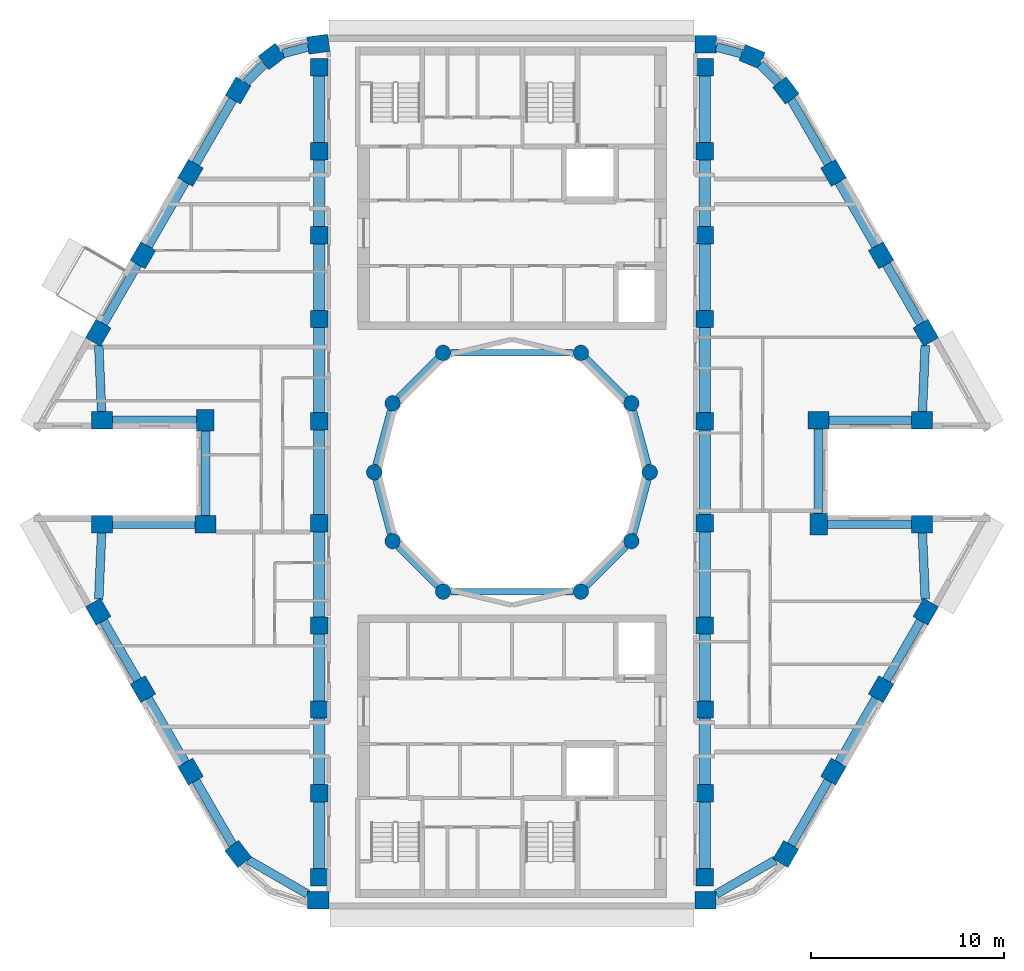
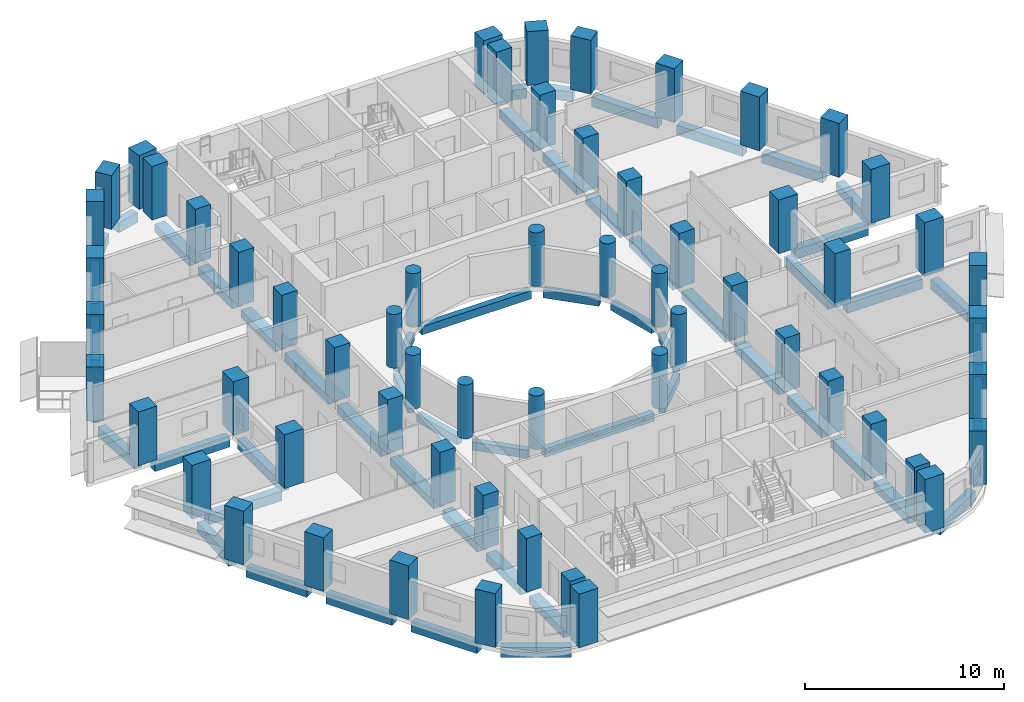
# One storey, part 1 of 13: 60 columns, 56 beams.
"""IFC4 building model written with IfcOpenShell, lengths in metres."""

import ifcopenshell
import ifcopenshell.guid

model = None  # the IFC model being written
_history = None  # IfcOwnerHistory: only IFC2X3 demands one
_inside = {}  # id of a spatial element -> (the spatial element, [elements in it])
_under = {}  # id of a project, library or spatial element -> (it, [spatial elements below it])
_declared = {}  # id of a project -> (the project, [libraries it declares])
_typed = {}  # id of a type object -> (the type object, [elements of that type])
_made_of = {}  # id of a material, layer set ... -> (it, [elements and type objects made of it])


def new_model(schema):
    """Start an empty IFC model of exactly this schema.

    Asked for "IFC4X3", IfcOpenShell would pick the latest addendum, in which some entities
    have other attributes; the version numbers below select the first issue.
    IFC2X3 requires an IfcOwnerHistory on every rooted entity: one is made here for all.
    """
    global model, _history
    if schema == "IFC4X3":
        model = ifcopenshell.file(schema_version=(4, 3, 0, 0))
    else:
        model = ifcopenshell.file(schema=schema)
    _inside.clear()
    _under.clear()
    _declared.clear()
    _typed.clear()
    _made_of.clear()
    _history = None
    if model.schema == "IFC2X3":
        org = make("IfcOrganization", Name="unknown")
        user = make(
            "IfcPersonAndOrganization",
            ThePerson=make("IfcPerson", FamilyName="unknown"),
            TheOrganization=org,
        )
        app = make(
            "IfcApplication",
            ApplicationDeveloper=org,
            Version="unknown",
            ApplicationFullName="unknown",
            ApplicationIdentifier="unknown",
        )
        _history = make(
            "IfcOwnerHistory",
            OwningUser=user,
            OwningApplication=app,
            ChangeAction="ADDED",
            CreationDate=0,
        )
    return model


def make(cls, **values):
    """One entity of the class cls with the attributes given. An attribute that is None is left unset."""
    return model.create_entity(
        cls, **{name: value for name, value in values.items() if value is not None}
    )


def rooted(cls, **values):
    """An entity with a GlobalId (a new one), such as an element, a storey or a relation."""
    return make(cls, GlobalId=ifcopenshell.guid.new(), OwnerHistory=_history, **values)


def si_unit(unit_type, name, prefix=None):
    """IfcSIUnit, for example si_unit("LENGTHUNIT", "METRE", prefix="MILLI")."""
    return make("IfcSIUnit", UnitType=unit_type, Prefix=prefix, Name=name)


def assignment(units):
    """IfcUnitAssignment: the units of a project."""
    return None if units is None else make("IfcUnitAssignment", Units=units)


def point(xyz):
    """IfcCartesianPoint."""
    return None if xyz is None else make("IfcCartesianPoint", Coordinates=xyz)


def direction(xyz):
    """IfcDirection."""
    return None if xyz is None else make("IfcDirection", DirectionRatios=xyz)


def frame(location, z_axis=None, x_axis=None):
    """IfcAxis2Placement3D, a coordinate frame: its origin and axes. An axis left out is left unset."""
    return make(
        "IfcAxis2Placement3D",
        Location=point(location),
        Axis=direction(z_axis),
        RefDirection=direction(x_axis),
    )


def frame_2d(location, x_axis=None):
    """IfcAxis2Placement2D, a coordinate frame in the plane: its origin and x axis."""
    return make(
        "IfcAxis2Placement2D", Location=point(location), RefDirection=direction(x_axis)
    )


def origin():
    """The frame at (0, 0, 0) with its axes left unset."""
    return frame((0.0, 0.0, 0.0))


def origin_2d():
    """The frame at (0, 0) in the plane with its x axis left unset."""
    return frame_2d((0.0, 0.0))


def place(relative_to, where):
    """IfcLocalPlacement: puts the frame where relative to a parent placement (None: the world)."""
    return make(
        "IfcLocalPlacement", PlacementRelTo=relative_to, RelativePlacement=where
    )


def context(
    kind, dimensions, precision=None, world=None, true_north=None, identifier=None
):
    """IfcGeometricRepresentationContext, for example the 3D "Model" context."""
    return make(
        "IfcGeometricRepresentationContext",
        ContextIdentifier=identifier,
        ContextType=kind,
        CoordinateSpaceDimension=dimensions,
        Precision=precision,
        WorldCoordinateSystem=world,
        TrueNorth=true_north,
    )


def subcontext(parent, identifier, kind, view, scale=None):
    """IfcGeometricRepresentationSubContext, for example "Body" below "Model"."""
    return make(
        "IfcGeometricRepresentationSubContext",
        ContextIdentifier=identifier,
        ContextType=kind,
        ParentContext=parent,
        TargetScale=scale,
        TargetView=view,
    )


def project(units=None, contexts=None):
    """IfcProject with its units and contexts."""
    return rooted(
        "IfcProject",
        Name="project",
        RepresentationContexts=contexts,
        UnitsInContext=assignment(units),
    )


def spatial(cls, under=None, at=None, **own):
    """A site, building, storey or space (cls), placed at a placement, below another one or the project."""
    s = rooted(cls, ObjectPlacement=at, **own)
    if under is not None:
        _under.setdefault(under.id(), (under, []))[1].append(s)
    return s


def profile(cls, at=None, kind="AREA", **sizes):
    """A parametric profile (cls). Its sizes go by their IFC names, for example OverallWidth=200.0."""
    return make(cls, ProfileType=kind, Position=at, **sizes)


def rectangle(**sizes):
    """IfcRectangleProfileDef."""
    return profile("IfcRectangleProfileDef", **sizes)


def circle(**sizes):
    """IfcCircleProfileDef."""
    return profile("IfcCircleProfileDef", **sizes)


def extrude(swept, where, along, depth):
    """IfcExtrudedAreaSolid: the profile swept, set in the frame where, extruded along a direction by depth."""
    return make(
        "IfcExtrudedAreaSolid",
        SweptArea=swept,
        Position=where,
        ExtrudedDirection=direction(along),
        Depth=depth,
    )


def shape(context_of_items, identifier, shape_type, items):
    """IfcShapeRepresentation: the items that make up one representation, for example the "Body"."""
    return make(
        "IfcShapeRepresentation",
        ContextOfItems=context_of_items,
        RepresentationIdentifier=identifier,
        RepresentationType=shape_type,
        Items=items,
    )


def material(Name=None, Category=None):
    """IfcMaterial."""
    return make("IfcMaterial", Name=Name, Category=Category)


def material_profile(
    of_material, cross_section, Name=None, Category=None, Priority=None
):
    """IfcMaterialProfile: a cross section and its material."""
    return make(
        "IfcMaterialProfile",
        Name=Name,
        Material=of_material,
        Profile=cross_section,
        Priority=Priority,
        Category=Category,
    )


def profile_set(profiles, Name=None, composite=None):
    """IfcMaterialProfileSet."""
    return make(
        "IfcMaterialProfileSet",
        Name=Name,
        MaterialProfiles=profiles,
        CompositeProfile=composite,
    )


def made_of(thing, what):
    """Note that an element or type object is made of a material, layer set ...; save() writes the relation."""
    if what is not None:
        _made_of.setdefault(what.id(), (what, []))[1].append(thing)
    return thing


def type_object(cls, material=None, **own):
    """A type object (cls), such as IfcWallType, which elements share."""
    return made_of(rooted(cls, **own), material)


def element(
    cls,
    number,
    at=None,
    inside=None,
    cuts=None,
    type_object=None,
    material=None,
    context=None,
    identifier="Body",
    shape_type=None,
    held_by="IfcProductDefinitionShape",
    body=None,
    shapes=None,
    **own,
):
    """One element of the class cls, such as IfcWall. Its Tag is "e" and its number.

    at: its placement. inside: the storey or other place that contains it. cuts: it is an
    opening in that element (IfcRelVoidsElement). A single representation is given by context,
    identifier, shape_type and body (its items); several are given by shapes. held_by: the class
    of the entity that holds the representations. save() writes the other relations.
    """
    e = rooted(cls, Tag="e%d" % number, ObjectPlacement=at, **own)
    if body is not None:
        shapes = [shape(context, identifier, shape_type, body)]
    if shapes is not None:
        e.Representation = make(held_by, Representations=shapes)
    if inside is not None:
        _inside.setdefault(inside.id(), (inside, []))[1].append(e)
    if cuts is not None:
        rooted(
            "IfcRelVoidsElement", RelatingBuildingElement=cuts, RelatedOpeningElement=e
        )
    if type_object is not None:
        _typed.setdefault(type_object.id(), (type_object, []))[1].append(e)
    return made_of(e, material)


def aggregate(whole, parts):
    """IfcRelAggregates: a whole, such as a stair, and the parts it consists of."""
    return rooted("IfcRelAggregates", RelatingObject=whole, RelatedObjects=parts)


def save(model, path):
    """Write the relations noted so far, then the file.

    IfcRelAggregates (storeys below a building ...), IfcRelContainedInSpatialStructure (elements
    in a storey), IfcRelDefinesByType, IfcRelAssociatesMaterial and IfcRelDeclares: one each for
    every whole, place, type object, material and project.
    """
    for whole, parts in _under.values():
        aggregate(whole, parts)
    for where, things in _inside.values():
        rooted(
            "IfcRelContainedInSpatialStructure",
            RelatedElements=things,
            RelatingStructure=where,
        )
    for kind, things in _typed.values():
        rooted("IfcRelDefinesByType", RelatedObjects=things, RelatingType=kind)
    for what, things in _made_of.values():
        rooted("IfcRelAssociatesMaterial", RelatedObjects=things, RelatingMaterial=what)
    for by, libraries in _declared.values():
        rooted("IfcRelDeclares", RelatingContext=by, RelatedDefinitions=libraries)
    model.write(path)


model = new_model("IFC4")

# Units and contexts
model_context = context("Model", 3, precision=1e-05, world=origin(), true_north=direction((0.0, 1.0)))
body_context = subcontext(model_context, "Body", "Model", "MODEL_VIEW")
ifc_project = project(units=[si_unit("LENGTHUNIT", "METRE"), si_unit("AREAUNIT", "SQUARE_METRE"), si_unit("VOLUMEUNIT", "CUBIC_METRE"), si_unit("PLANEANGLEUNIT", "RADIAN"), si_unit("MASSUNIT", "GRAM", prefix="KILO")], contexts=[model_context])

# Site, building, storey
site_placement = place(None, origin())
site = spatial("IfcSite", under=ifc_project, at=site_placement, CompositionType="ELEMENT")
building_placement = place(site_placement, origin())
building = spatial("IfcBuilding", under=site, at=building_placement, Name="Nakaniwa Court", CompositionType="ELEMENT")
storey_placement = place(building_placement, frame((0.0, 0.0, 242.699951171875)))
storey = spatial("IfcBuildingStorey", under=building, at=storey_placement, Name="L63", CompositionType="ELEMENT", Elevation=242.699951171875)

# Columns
ifc_material = material(Name="Concrete C80/100", Category="concrete")
ifc_material_profile_1 = material_profile(ifc_material, rectangle(XDim=1.10009765625, YDim=0.89990234375, at=origin_2d()), Name="Concrete C80/100 RC 1100x900 perimeter column")
ifc_profile_set_1 = profile_set([ifc_material_profile_1], Name="Concrete C80/100")
column_type_1 = type_object("IfcColumnType", Name="Concrete C80/100 RC 1100x900 perimeter column", PredefinedType="COLUMN", material=ifc_profile_set_1)
for number, where, z_axis, x_axis, name in (
    (1, (69.95458984375, 102.199951171875, 0.0), (0.0, 0.0, 1.0), (-0.991442583111, -0.130543496177, 0.0), "COLUMN CO-01"),
    (2, (67.552001953125, 101.560302734375, 0.0), (0.0, 0.0, 1.0), (-0.793363965062, -0.608747582288, 0.0), "COLUMN CO-02"),
    (3, (65.796875, 99.799560546875, 0.0), (0.0, 0.0, 1.0), (-0.5, -0.866025403784, 0.0), "COLUMN CO-03"),
    (4, (63.328857421875, 95.524658203125, 0.0), (0.0, 0.0, 1.0), (-0.5, -0.866025403784, 0.0), "COLUMN CO-04"),
    (5, (60.860595703125, 91.249755859375, 0.0), (0.0, 0.0, 1.0), (-0.5, -0.866025403784, 0.0), "COLUMN CO-05"),
    (6, (58.541015625, 87.232177734375, 0.0), (0.0, 0.0, 1.0), (-0.5, -0.866025403784, 0.0), "COLUMN CO-06"),
    (7, (58.736083984375, 82.699951171875, 0.0), (0.0, 0.0, 1.0), (1.0, 0.0, 0.0), "COLUMN CO-08"),
    (8, (64.1005859375, 82.699951171875, 0.0), (0.0, 0.0, 1.0), (0.0, -1.0, 0.0), "COLUMN CO-09"),
    (9, (64.1005859375, 77.300048828125, 0.0), (0.0, 0.0, 1.0), (-1.0, 0.0, 0.0), "COLUMN CO-10"),
    (10, (58.736083984375, 77.300048828125, 0.0), (0.0, 0.0, 1.0), (-1.0, 0.0, 0.0), "COLUMN CO-11"),
    (11, (58.541015625, 72.767822265625, 0.0), (0.0, 0.0, 1.0), (0.5, -0.866025403784, 0.0), "COLUMN CO-13"),
    (12, (60.860595703125, 68.750244140625, 0.0), (0.0, 0.0, 1.0), (0.5, -0.866025403784, 0.0), "COLUMN CO-14"),
    (13, (63.328857421875, 64.475341796875, 0.0), (0.0, 0.0, 1.0), (0.5, -0.866025403784, 0.0), "COLUMN CO-15"),
    (14, (65.796875, 60.200439453125, 0.0), (0.0, 0.0, 1.0), (0.608761429009, -0.793353340291, 0.0), "COLUMN CO-16"),
    (15, (69.95458984375, 57.800048828125, 0.0), (0.0, 0.0, 1.0), (1.0, 0.0, 0.0), "COLUMN CO-17"),
    (16, (90.03955078125, 57.800048828125, 0.0), (0.0, 0.0, 1.0), (1.0, 0.0, 0.0), "COLUMN CO-21"),
    (17, (94.203125, 60.200439453125, 0.0), (0.0, 0.0, 1.0), (0.5, 0.866025403784, 0.0), "COLUMN CO-22"),
    (18, (96.671142578125, 64.475341796875, 0.0), (0.0, 0.0, 1.0), (0.5, 0.866025403784, 0.0), "COLUMN CO-23"),
    (19, (99.139404296875, 68.750244140625, 0.0), (0.0, 0.0, 1.0), (0.5, 0.866025403784, 0.0), "COLUMN CO-24"),
    (20, (101.458984375, 72.767822265625, 0.0), (0.0, 0.0, 1.0), (0.5, 0.866025403784, 0.0), "COLUMN CO-25"),
    (21, (101.263916015625, 77.300048828125, 0.0), (0.0, 0.0, 1.0), (-1.0, 0.0, 0.0), "COLUMN CO-27"),
    (22, (95.8994140625, 77.300048828125, 0.0), (0.0, 0.0, 1.0), (0.0, 1.0, 0.0), "COLUMN CO-28"),
    (23, (95.8994140625, 82.699951171875, 0.0), (0.0, 0.0, 1.0), (1.0, 0.0, 0.0), "COLUMN CO-29"),
    (24, (101.263916015625, 82.699951171875, 0.0), (0.0, 0.0, 1.0), (1.0, 0.0, 0.0), "COLUMN CO-30"),
    (25, (101.458984375, 87.232177734375, 0.0), (0.0, 0.0, 1.0), (-0.5, 0.866025403784, 0.0), "COLUMN CO-32"),
    (26, (99.139404296875, 91.249755859375, 0.0), (0.0, 0.0, 1.0), (-0.5, 0.866025403784, 0.0), "COLUMN CO-33"),
    (27, (96.671142578125, 95.524658203125, 0.0), (0.0, 0.0, 1.0), (-0.5, 0.866025403784, 0.0), "COLUMN CO-34"),
    (28, (94.203125, 99.799560546875, 0.0), (0.0, 0.0, 1.0), (-0.608761429009, 0.793353340291, 0.0), "COLUMN CO-35"),
    (29, (92.447998046875, 101.560302734375, 0.0), (0.0, 0.0, 1.0), (-0.923879532511, 0.382683432365, 0.0), "COLUMN CO-36"),
    (30, (90.04541015625, 102.199951171875, 0.0), (0.0, 0.0, 1.0), (-1.0, 0.0, 0.0), "COLUMN CO-37"),
):
    element("IfcColumn", number, at=place(storey_placement, frame(where, z_axis=z_axis, x_axis=x_axis)), inside=storey, type_object=column_type_1, Name=name, PredefinedType="COLUMN", context=body_context, shape_type="SweptSolid", body=[
        extrude(rectangle(XDim=1.10009765625, YDim=0.89990234375, at=origin_2d()), origin(), (0.0, 0.0, 1.0), 3.300048828125),
    ])
ifc_material_profile_2 = material_profile(ifc_material, rectangle(XDim=0.89990234375, YDim=0.89990234375, at=origin_2d()), Name="Concrete C80/100 RC 900x900 spine column")
ifc_profile_set_2 = profile_set([ifc_material_profile_2], Name="Concrete C80/100")
column_type_2 = type_object("IfcColumnType", Name="Concrete C80/100 RC 900x900 spine column", PredefinedType="COLUMN", material=ifc_profile_set_2)
for number, where, z_axis, x_axis, name in (
    (31, (90.0, 59.0, 0.0), (0.0, 0.0, 1.0), (0.0, 1.0, 0.0), "COLUMN CS-01"),
    (32, (90.0, 63.35009765625, 0.0), (0.0, 0.0, 1.0), (0.0, 1.0, 0.0), "COLUMN CS-02"),
    (33, (90.0, 67.699951171875, 0.0), (0.0, 0.0, 1.0), (0.0, 1.0, 0.0), "COLUMN CS-03"),
    (34, (90.0, 72.050048828125, 0.0), (0.0, 0.0, 1.0), (0.0, 1.0, 0.0), "COLUMN CS-04"),
    (35, (90.0, 77.35009765625, 0.0), (0.0, 0.0, 1.0), (0.0, 1.0, 0.0), "COLUMN CS-05"),
    (36, (90.0, 82.64990234375, 0.0), (0.0, 0.0, 1.0), (0.0, 1.0, 0.0), "COLUMN CS-06"),
    (37, (90.0, 87.949951171875, 0.0), (0.0, 0.0, 1.0), (0.0, 1.0, 0.0), "COLUMN CS-07"),
    (38, (90.0, 92.300048828125, 0.0), (0.0, 0.0, 1.0), (0.0, 1.0, 0.0), "COLUMN CS-08"),
    (39, (90.0, 96.64990234375, 0.0), (0.0, 0.0, 1.0), (0.0, 1.0, 0.0), "COLUMN CS-09"),
    (40, (90.0, 101.0, 0.0), (0.0, 0.0, 1.0), (0.0, 1.0, 0.0), "COLUMN CS-10"),
    (41, (70.0, 101.0, 0.0), (0.0, 0.0, 1.0), (0.0, -1.0, 0.0), "COLUMN CS-11"),
    (42, (70.0, 96.64990234375, 0.0), (0.0, 0.0, 1.0), (0.0, -1.0, 0.0), "COLUMN CS-12"),
    (43, (70.0, 92.300048828125, 0.0), (0.0, 0.0, 1.0), (0.0, -1.0, 0.0), "COLUMN CS-13"),
    (44, (70.0, 87.949951171875, 0.0), (0.0, 0.0, 1.0), (0.0, -1.0, 0.0), "COLUMN CS-14"),
    (45, (70.0, 82.64990234375, 0.0), (0.0, 0.0, 1.0), (0.0, -1.0, 0.0), "COLUMN CS-15"),
    (46, (70.0, 77.35009765625, 0.0), (0.0, 0.0, 1.0), (0.0, -1.0, 0.0), "COLUMN CS-16"),
    (47, (70.0, 72.050048828125, 0.0), (0.0, 0.0, 1.0), (0.0, -1.0, 0.0), "COLUMN CS-17"),
    (48, (70.0, 67.699951171875, 0.0), (0.0, 0.0, 1.0), (0.0, -1.0, 0.0), "COLUMN CS-18"),
    (49, (70.0, 63.35009765625, 0.0), (0.0, 0.0, 1.0), (0.0, -1.0, 0.0), "COLUMN CS-19"),
    (50, (70.0, 59.0, 0.0), (0.0, 0.0, 1.0), (0.0, -1.0, 0.0), "COLUMN CS-20"),
):
    element("IfcColumn", number, at=place(storey_placement, frame(where, z_axis=z_axis, x_axis=x_axis)), inside=storey, type_object=column_type_2, Name=name, PredefinedType="COLUMN", context=body_context, shape_type="SweptSolid", body=[
        extrude(rectangle(XDim=0.89990234375, YDim=0.89990234375, at=origin_2d()), origin(), (0.0, 0.0, 1.0), 3.300048828125),
    ])
ifc_material_profile_3 = material_profile(ifc_material, circle(Radius=0.39990234375, at=origin_2d()), Name="Concrete C80/100 RC D800 inner ring column")
ifc_profile_set_3 = profile_set([ifc_material_profile_3], Name="Concrete C80/100")
column_type_3 = type_object("IfcColumnType", Name="Concrete C80/100 RC D800 inner ring column", PredefinedType="COLUMN", material=ifc_profile_set_3)
for number, where, z_axis, x_axis, name in (
    (51, (87.14990234375, 80.0, 0.0), (0.0, 0.0, 1.0), (0.0, 1.0, 0.0), "COLUMN CI-01"),
    (52, (86.192138671875, 83.574951171875, 0.0), (0.0, 0.0, 1.0), (-0.5, 0.866025403784, 0.0), "COLUMN CI-02"),
    (53, (83.574951171875, 86.192138671875, 0.0), (0.0, 0.0, 1.0), (-0.866025403784, 0.5, 0.0), "COLUMN CI-03"),
    (54, (76.425048828125, 86.192138671875, 0.0), (0.0, 0.0, 1.0), (-0.866025403784, -0.5, 0.0), "COLUMN CI-05"),
    (55, (73.807861328125, 83.574951171875, 0.0), (0.0, 0.0, 1.0), (-0.5, -0.866025403784, 0.0), "COLUMN CI-06"),
    (56, (72.85009765625, 80.0, 0.0), (0.0, 0.0, 1.0), (0.0, -1.0, 0.0), "COLUMN CI-07"),
    (57, (73.807861328125, 76.425048828125, 0.0), (0.0, 0.0, 1.0), (0.5, -0.866025403784, 0.0), "COLUMN CI-08"),
    (58, (76.425048828125, 73.807861328125, 0.0), (0.0, 0.0, 1.0), (0.866025403784, -0.5, 0.0), "COLUMN CI-09"),
    (59, (83.574951171875, 73.807861328125, 0.0), (0.0, 0.0, 1.0), (0.866025403784, 0.5, 0.0), "COLUMN CI-11"),
    (60, (86.192138671875, 76.425048828125, 0.0), (0.0, 0.0, 1.0), (0.5, 0.866025403784, 0.0), "COLUMN CI-12"),
):
    element("IfcColumn", number, at=place(storey_placement, frame(where, z_axis=z_axis, x_axis=x_axis)), inside=storey, type_object=column_type_3, Name=name, PredefinedType="COLUMN", context=body_context, shape_type="SweptSolid", body=[
        extrude(circle(Radius=0.39990234375, at=origin_2d()), origin(), (0.0, 0.0, 1.0), 3.300048828125),
    ])

# Beams
ifc_material_profile_4 = material_profile(ifc_material, rectangle(XDim=0.35009765625, YDim=0.5, at=origin_2d()), Name="Concrete C80/100 RC 350x500 ring beam")
ifc_profile_set_4 = profile_set([ifc_material_profile_4], Name="Concrete C80/100")
beam_type_1 = type_object("IfcBeamType", Name="Concrete C80/100 RC 350x500 ring beam", PredefinedType="BEAM", material=ifc_profile_set_4)
beam_1_placement = place(storey_placement, frame((87.04638671875, 80.386474609375, -0.52490234375), z_axis=(-0.258778150207, 0.965936783115, 0.0), x_axis=(-0.965936783115, -0.258778150207, 0.0)))
element("IfcBeam", 61, at=beam_1_placement, inside=storey, type_object=beam_type_1, Name="RING BEAM", PredefinedType="BEAM", context=body_context, shape_type="SweptSolid", body=[
    extrude(rectangle(XDim=0.35009765625, YDim=0.5, at=origin_2d()), origin(), (0.0, 0.0, 1.0), 2.901123046875),
])
beam_2_placement = place(storey_placement, frame((85.9091796875, 83.85791015625, -0.52490234375), z_axis=(-0.707106781187, 0.707106781187, 0.0), x_axis=(-0.707106781187, -0.707106781187, 0.0)))
element("IfcBeam", 62, at=beam_2_placement, inside=storey, type_object=beam_type_1, Name="RING BEAM", PredefinedType="BEAM", context=body_context, shape_type="SweptSolid", body=[
    extrude(rectangle(XDim=0.35009765625, YDim=0.5, at=origin_2d()), origin(), (0.0, 0.0, 1.0), 2.90087890625),
])
beam_3_placement = place(storey_placement, frame((83.175048828125, 86.192138671875, -0.52490234375), z_axis=(-1.0, 0.0, 0.0), x_axis=(0.0, -1.0, 0.0)))
element("IfcBeam", 63, at=beam_3_placement, inside=storey, type_object=beam_type_1, Name="RING BEAM", PredefinedType="BEAM", context=body_context, shape_type="SweptSolid", body=[
    extrude(rectangle(XDim=0.35009765625, YDim=0.5, at=origin_2d()), origin(), (0.0, 0.0, 1.0), 6.35009765625),
])
beam_4_placement = place(storey_placement, frame((76.14208984375, 85.9091796875, -0.52490234375), z_axis=(-0.707106781187, -0.707106781187, 0.0), x_axis=(0.707106781187, -0.707106781187, 0.0)))
element("IfcBeam", 64, at=beam_4_placement, inside=storey, type_object=beam_type_1, Name="RING BEAM", PredefinedType="BEAM", context=body_context, shape_type="SweptSolid", body=[
    extrude(rectangle(XDim=0.35009765625, YDim=0.5, at=origin_2d()), origin(), (0.0, 0.0, 1.0), 2.90087890625),
])
for number, where, z_axis, x_axis, name in (
    (65, (73.704345703125, 83.188720703125, -0.52490234375), (-0.258778150207, -0.965936783115, 0.0), (0.965936783115, -0.258778150207, 0.0), "RING BEAM"),
    (66, (72.95361328125, 79.613525390625, -0.52490234375), (0.258778150207, -0.965936783115, 0.0), (0.965936783115, 0.258778150207, 0.0), "RING BEAM"),
):
    element("IfcBeam", number, at=place(storey_placement, frame(where, z_axis=z_axis, x_axis=x_axis)), inside=storey, type_object=beam_type_1, Name=name, PredefinedType="BEAM", context=body_context, shape_type="SweptSolid", body=[
        extrude(rectangle(XDim=0.35009765625, YDim=0.5, at=origin_2d()), origin(), (0.0, 0.0, 1.0), 2.901123046875),
    ])
beam_5_placement = place(storey_placement, frame((74.0908203125, 76.14208984375, -0.52490234375), z_axis=(0.707106781187, -0.707106781187, 0.0), x_axis=(0.707106781187, 0.707106781187, 0.0)))
element("IfcBeam", 67, at=beam_5_placement, inside=storey, type_object=beam_type_1, Name="RING BEAM", PredefinedType="BEAM", context=body_context, shape_type="SweptSolid", body=[
    extrude(rectangle(XDim=0.35009765625, YDim=0.5, at=origin_2d()), origin(), (0.0, 0.0, 1.0), 2.90087890625),
])
beam_6_placement = place(storey_placement, frame((76.824951171875, 73.807861328125, -0.52490234375), z_axis=(1.0, 0.0, 0.0), x_axis=(0.0, 1.0, 0.0)))
element("IfcBeam", 68, at=beam_6_placement, inside=storey, type_object=beam_type_1, Name="RING BEAM", PredefinedType="BEAM", context=body_context, shape_type="SweptSolid", body=[
    extrude(rectangle(XDim=0.35009765625, YDim=0.5, at=origin_2d()), origin(), (0.0, 0.0, 1.0), 6.35009765625),
])
beam_7_placement = place(storey_placement, frame((83.85791015625, 74.0908203125, -0.52490234375), z_axis=(0.707106781187, 0.707106781187, 0.0), x_axis=(-0.707106781187, 0.707106781187, 0.0)))
element("IfcBeam", 69, at=beam_7_placement, inside=storey, type_object=beam_type_1, Name="RING BEAM", PredefinedType="BEAM", context=body_context, shape_type="SweptSolid", body=[
    extrude(rectangle(XDim=0.35009765625, YDim=0.5, at=origin_2d()), origin(), (0.0, 0.0, 1.0), 2.90087890625),
])
beam_8_placement = place(storey_placement, frame((86.295654296875, 76.811279296875, -0.52490234375), z_axis=(0.258778150207, 0.965936783115, 0.0), x_axis=(-0.965936783115, 0.258778150207, 0.0)))
element("IfcBeam", 70, at=beam_8_placement, inside=storey, type_object=beam_type_1, Name="RING BEAM", PredefinedType="BEAM", context=body_context, shape_type="SweptSolid", body=[
    extrude(rectangle(XDim=0.35009765625, YDim=0.5, at=origin_2d()), origin(), (0.0, 0.0, 1.0), 2.901123046875),
])
ifc_material_profile_5 = material_profile(ifc_material, rectangle(XDim=0.449951171875, YDim=0.60009765625, at=origin_2d()), Name="Concrete C80/100 RC 450x600 spandrel beam")
ifc_profile_set_5 = profile_set([ifc_material_profile_5], Name="Concrete C80/100")
beam_type_2 = type_object("IfcBeamType", Name="Concrete C80/100 RC 450x600 spandrel beam", PredefinedType="BEAM", material=ifc_profile_set_5)
beam_9_placement = place(storey_placement, frame((69.418701171875, 102.057373046875, -0.574951171875), z_axis=(-0.966286479475, -0.257469298332, 0.0), x_axis=(0.257469298332, -0.966286479475, 0.0)))
element("IfcBeam", 71, at=beam_9_placement, inside=storey, type_object=beam_type_2, Name="SPANDREL BEAM", PredefinedType="BEAM", context=body_context, shape_type="SweptSolid", body=[
    extrude(rectangle(XDim=0.449951171875, YDim=0.60009765625, at=origin_2d()), origin(), (0.0, 0.0, 1.0), 1.3359375),
])
beam_10_placement = place(storey_placement, frame((67.160400390625, 101.167236328125, -0.574951171875), z_axis=(-0.706030517025, -0.708181409689, 0.0), x_axis=(0.708181409689, -0.706030517025, 0.0)))
element("IfcBeam", 72, at=beam_10_placement, inside=storey, type_object=beam_type_2, Name="SPANDREL BEAM", PredefinedType="BEAM", context=body_context, shape_type="SweptSolid", body=[
    extrude(rectangle(XDim=0.449951171875, YDim=0.60009765625, at=origin_2d()), origin(), (0.0, 0.0, 1.0), 1.362060546875),
])
for number, where, z_axis, x_axis, name in (
    (73, (65.52197265625, 99.3232421875, -0.574951171875), (-0.50001992892, -0.866013897511, 0.0), (0.866013897511, -0.50001992892, 0.0), "SPANDREL BEAM"),
    (74, (63.0537109375, 95.04833984375, -0.574951171875), (-0.499972197867, -0.866041454758, 0.0), (0.866041454758, -0.499972197867, 0.0), "SPANDREL BEAM"),
):
    element("IfcBeam", number, at=place(storey_placement, frame(where, z_axis=z_axis, x_axis=x_axis)), inside=storey, type_object=beam_type_2, Name=name, PredefinedType="BEAM", context=body_context, shape_type="SweptSolid", body=[
        extrude(rectangle(XDim=0.449951171875, YDim=0.60009765625, at=origin_2d()), origin(), (0.0, 0.0, 1.0), 3.836181640625),
    ])
beam_11_placement = place(storey_placement, frame((60.585693359375, 90.7734375, -0.574951171875), z_axis=(-0.499997139945, -0.866027055032, 0.0), x_axis=(0.866027055032, -0.499997139945, 0.0)))
element("IfcBeam", 75, at=beam_11_placement, inside=storey, type_object=beam_type_2, Name="SPANDREL BEAM", PredefinedType="BEAM", context=body_context, shape_type="SweptSolid", body=[
    extrude(rectangle(XDim=0.449951171875, YDim=0.60009765625, at=origin_2d()), origin(), (0.0, 0.0, 1.0), 3.5390625),
])
beam_12_placement = place(storey_placement, frame((58.569091796875, 86.580810546875, -0.574951171875), z_axis=(0.042940503042, -0.999077631217, 0.0), x_axis=(0.999077631217, 0.042940503042, 0.0)))
element("IfcBeam", 76, at=beam_12_placement, inside=storey, type_object=beam_type_2, Name="SPANDREL BEAM", PredefinedType="BEAM", context=body_context, shape_type="SweptSolid", body=[
    extrude(rectangle(XDim=0.449951171875, YDim=0.60009765625, at=origin_2d()), origin(), (0.0, 0.0, 1.0), 3.43408203125),
])
beam_13_placement = place(storey_placement, frame((59.285888671875, 82.699951171875, -0.574951171875), z_axis=(1.0, 0.0, 0.0), x_axis=(0.0, 1.0, 0.0)))
element("IfcBeam", 77, at=beam_13_placement, inside=storey, type_object=beam_type_2, Name="SPANDREL BEAM", PredefinedType="BEAM", context=body_context, shape_type="SweptSolid", body=[
    extrude(rectangle(XDim=0.449951171875, YDim=0.60009765625, at=origin_2d()), origin(), (0.0, 0.0, 1.0), 4.364501953125),
])
beam_14_placement = place(storey_placement, frame((64.1005859375, 82.14990234375, -0.574951171875), z_axis=(0.0, -1.0, 0.0), x_axis=(1.0, 0.0, 0.0)))
element("IfcBeam", 78, at=beam_14_placement, inside=storey, type_object=beam_type_2, Name="SPANDREL BEAM", PredefinedType="BEAM", context=body_context, shape_type="SweptSolid", body=[
    extrude(rectangle(XDim=0.449951171875, YDim=0.60009765625, at=origin_2d()), origin(), (0.0, 0.0, 1.0), 4.39990234375),
])
beam_15_placement = place(storey_placement, frame((63.550537109375, 77.300048828125, -0.574951171875), z_axis=(-1.0, 0.0, 0.0), x_axis=(0.0, -1.0, 0.0)))
element("IfcBeam", 79, at=beam_15_placement, inside=storey, type_object=beam_type_2, Name="SPANDREL BEAM", PredefinedType="BEAM", context=body_context, shape_type="SweptSolid", body=[
    extrude(rectangle(XDim=0.449951171875, YDim=0.60009765625, at=origin_2d()), origin(), (0.0, 0.0, 1.0), 4.2646484375),
])
beam_16_placement = place(storey_placement, frame((58.716552734375, 76.85009765625, -0.574951171875), z_axis=(-0.042940503042, -0.999077631217, 0.0), x_axis=(0.999077631217, -0.042940503042, 0.0)))
element("IfcBeam", 80, at=beam_16_placement, inside=storey, type_object=beam_type_2, Name="SPANDREL BEAM", PredefinedType="BEAM", context=body_context, shape_type="SweptSolid", body=[
    extrude(rectangle(XDim=0.449951171875, YDim=0.60009765625, at=origin_2d()), origin(), (0.0, 0.0, 1.0), 3.43408203125),
])
beam_17_placement = place(storey_placement, frame((58.816162109375, 72.29150390625, -0.574951171875), z_axis=(0.499997139945, -0.866027055032, 0.0), x_axis=(0.866027055032, 0.499997139945, 0.0)))
element("IfcBeam", 81, at=beam_17_placement, inside=storey, type_object=beam_type_2, Name="SPANDREL BEAM", PredefinedType="BEAM", context=body_context, shape_type="SweptSolid", body=[
    extrude(rectangle(XDim=0.449951171875, YDim=0.60009765625, at=origin_2d()), origin(), (0.0, 0.0, 1.0), 3.5390625),
])
beam_18_placement = place(storey_placement, frame((61.1357421875, 68.27392578125, -0.574951171875), z_axis=(0.499972197867, -0.866041454758, 0.0), x_axis=(0.866041454758, 0.499972197867, 0.0)))
element("IfcBeam", 82, at=beam_18_placement, inside=storey, type_object=beam_type_2, Name="SPANDREL BEAM", PredefinedType="BEAM", context=body_context, shape_type="SweptSolid", body=[
    extrude(rectangle(XDim=0.449951171875, YDim=0.60009765625, at=origin_2d()), origin(), (0.0, 0.0, 1.0), 3.836181640625),
])
beam_19_placement = place(storey_placement, frame((63.603759765625, 63.9990234375, -0.574951171875), z_axis=(0.500011110731, -0.866018988906, 0.0), x_axis=(0.866018988906, 0.500011110731, 0.0)))
element("IfcBeam", 83, at=beam_19_placement, inside=storey, type_object=beam_type_2, Name="SPANDREL BEAM", PredefinedType="BEAM", context=body_context, shape_type="SweptSolid", body=[
    extrude(rectangle(XDim=0.449951171875, YDim=0.60009765625, at=origin_2d()), origin(), (0.0, 0.0, 1.0), 3.83154296875),
])
beam_20_placement = place(storey_placement, frame((66.3125, 59.90283203125, -0.574951171875), z_axis=(0.866017069707, -0.500014434768, 0.0), x_axis=(0.500014434768, 0.866017069707, 0.0)))
element("IfcBeam", 84, at=beam_20_placement, inside=storey, type_object=beam_type_2, Name="SPANDREL BEAM", PredefinedType="BEAM", context=body_context, shape_type="SweptSolid", body=[
    extrude(rectangle(XDim=0.449951171875, YDim=0.60009765625, at=origin_2d()), origin(), (0.0, 0.0, 1.0), 3.57080078125),
])
beam_21_placement = place(storey_placement, frame((90.589599609375, 58.1171875, -0.574951171875), z_axis=(0.866307414098, 0.499511225378, 0.0), x_axis=(-0.499511225378, 0.866307414098, 0.0)))
element("IfcBeam", 85, at=beam_21_placement, inside=storey, type_object=beam_type_2, Name="SPANDREL BEAM", PredefinedType="BEAM", context=body_context, shape_type="SweptSolid", body=[
    extrude(rectangle(XDim=0.449951171875, YDim=0.60009765625, at=origin_2d()), origin(), (0.0, 0.0, 1.0), 3.53564453125),
])
for number, where, z_axis, x_axis, name in (
    (86, (94.47802734375, 60.6767578125, -0.574951171875), (0.50001992892, 0.866013897511, 0.0), (-0.866013897511, 0.50001992892, 0.0), "SPANDREL BEAM"),
    (87, (96.9462890625, 64.95166015625, -0.574951171875), (0.499972197867, 0.866041454758, 0.0), (-0.866041454758, 0.499972197867, 0.0), "SPANDREL BEAM"),
):
    element("IfcBeam", number, at=place(storey_placement, frame(where, z_axis=z_axis, x_axis=x_axis)), inside=storey, type_object=beam_type_2, Name=name, PredefinedType="BEAM", context=body_context, shape_type="SweptSolid", body=[
        extrude(rectangle(XDim=0.449951171875, YDim=0.60009765625, at=origin_2d()), origin(), (0.0, 0.0, 1.0), 3.836181640625),
    ])
beam_22_placement = place(storey_placement, frame((99.414306640625, 69.2265625, -0.574951171875), z_axis=(0.499997139945, 0.866027055032, 0.0), x_axis=(-0.866027055032, 0.499997139945, 0.0)))
element("IfcBeam", 88, at=beam_22_placement, inside=storey, type_object=beam_type_2, Name="SPANDREL BEAM", PredefinedType="BEAM", context=body_context, shape_type="SweptSolid", body=[
    extrude(rectangle(XDim=0.449951171875, YDim=0.60009765625, at=origin_2d()), origin(), (0.0, 0.0, 1.0), 3.5390625),
])
beam_23_placement = place(storey_placement, frame((101.430908203125, 73.419189453125, -0.574951171875), z_axis=(-0.042940503042, 0.999077631217, 0.0), x_axis=(-0.999077631217, -0.042940503042, 0.0)))
element("IfcBeam", 89, at=beam_23_placement, inside=storey, type_object=beam_type_2, Name="SPANDREL BEAM", PredefinedType="BEAM", context=body_context, shape_type="SweptSolid", body=[
    extrude(rectangle(XDim=0.449951171875, YDim=0.60009765625, at=origin_2d()), origin(), (0.0, 0.0, 1.0), 3.43408203125),
])
beam_24_placement = place(storey_placement, frame((100.714111328125, 77.300048828125, -0.574951171875), z_axis=(-1.0, 0.0, 0.0), x_axis=(0.0, -1.0, 0.0)))
element("IfcBeam", 90, at=beam_24_placement, inside=storey, type_object=beam_type_2, Name="SPANDREL BEAM", PredefinedType="BEAM", context=body_context, shape_type="SweptSolid", body=[
    extrude(rectangle(XDim=0.449951171875, YDim=0.60009765625, at=origin_2d()), origin(), (0.0, 0.0, 1.0), 4.364501953125),
])
beam_25_placement = place(storey_placement, frame((95.8994140625, 77.85009765625, -0.574951171875), z_axis=(0.0, 1.0, 0.0), x_axis=(-1.0, 0.0, 0.0)))
element("IfcBeam", 91, at=beam_25_placement, inside=storey, type_object=beam_type_2, Name="SPANDREL BEAM", PredefinedType="BEAM", context=body_context, shape_type="SweptSolid", body=[
    extrude(rectangle(XDim=0.449951171875, YDim=0.60009765625, at=origin_2d()), origin(), (0.0, 0.0, 1.0), 4.39990234375),
])
beam_26_placement = place(storey_placement, frame((96.449462890625, 82.699951171875, -0.574951171875), z_axis=(1.0, 0.0, 0.0), x_axis=(0.0, 1.0, 0.0)))
element("IfcBeam", 92, at=beam_26_placement, inside=storey, type_object=beam_type_2, Name="SPANDREL BEAM", PredefinedType="BEAM", context=body_context, shape_type="SweptSolid", body=[
    extrude(rectangle(XDim=0.449951171875, YDim=0.60009765625, at=origin_2d()), origin(), (0.0, 0.0, 1.0), 4.2646484375),
])
beam_27_placement = place(storey_placement, frame((101.283447265625, 83.14990234375, -0.574951171875), z_axis=(0.042940503042, 0.999077631217, 0.0), x_axis=(-0.999077631217, 0.042940503042, 0.0)))
element("IfcBeam", 93, at=beam_27_placement, inside=storey, type_object=beam_type_2, Name="SPANDREL BEAM", PredefinedType="BEAM", context=body_context, shape_type="SweptSolid", body=[
    extrude(rectangle(XDim=0.449951171875, YDim=0.60009765625, at=origin_2d()), origin(), (0.0, 0.0, 1.0), 3.43408203125),
])
beam_28_placement = place(storey_placement, frame((101.183837890625, 87.70849609375, -0.574951171875), z_axis=(-0.499997139945, 0.866027055032, 0.0), x_axis=(-0.866027055032, -0.499997139945, 0.0)))
element("IfcBeam", 94, at=beam_28_placement, inside=storey, type_object=beam_type_2, Name="SPANDREL BEAM", PredefinedType="BEAM", context=body_context, shape_type="SweptSolid", body=[
    extrude(rectangle(XDim=0.449951171875, YDim=0.60009765625, at=origin_2d()), origin(), (0.0, 0.0, 1.0), 3.5390625),
])
beam_29_placement = place(storey_placement, frame((98.8642578125, 91.72607421875, -0.574951171875), z_axis=(-0.499972197867, 0.866041454758, 0.0), x_axis=(-0.866041454758, -0.499972197867, 0.0)))
element("IfcBeam", 95, at=beam_29_placement, inside=storey, type_object=beam_type_2, Name="SPANDREL BEAM", PredefinedType="BEAM", context=body_context, shape_type="SweptSolid", body=[
    extrude(rectangle(XDim=0.449951171875, YDim=0.60009765625, at=origin_2d()), origin(), (0.0, 0.0, 1.0), 3.836181640625),
])
beam_30_placement = place(storey_placement, frame((96.396240234375, 96.0009765625, -0.574951171875), z_axis=(-0.500011110731, 0.866018988906, 0.0), x_axis=(-0.866018988906, -0.500011110731, 0.0)))
element("IfcBeam", 96, at=beam_30_placement, inside=storey, type_object=beam_type_2, Name="SPANDREL BEAM", PredefinedType="BEAM", context=body_context, shape_type="SweptSolid", body=[
    extrude(rectangle(XDim=0.449951171875, YDim=0.60009765625, at=origin_2d()), origin(), (0.0, 0.0, 1.0), 3.83154296875),
])
beam_31_placement = place(storey_placement, frame((93.8115234375, 100.1923828125, -0.574951171875), z_axis=(-0.706100745773, 0.708111387296, 0.0), x_axis=(-0.708111387296, -0.706100745773, 0.0)))
element("IfcBeam", 97, at=beam_31_placement, inside=storey, type_object=beam_type_2, Name="SPANDREL BEAM", PredefinedType="BEAM", context=body_context, shape_type="SweptSolid", body=[
    extrude(rectangle(XDim=0.449951171875, YDim=0.60009765625, at=origin_2d()), origin(), (0.0, 0.0, 1.0), 1.335693359375),
])
beam_32_placement = place(storey_placement, frame((91.91162109375, 101.702880859375, -0.574951171875), z_axis=(-0.966318174979, 0.257350315146, 0.0), x_axis=(-0.257350315146, -0.966318174979, 0.0)))
element("IfcBeam", 98, at=beam_32_placement, inside=storey, type_object=beam_type_2, Name="SPANDREL BEAM", PredefinedType="BEAM", context=body_context, shape_type="SweptSolid", body=[
    extrude(rectangle(XDim=0.449951171875, YDim=0.60009765625, at=origin_2d()), origin(), (0.0, 0.0, 1.0), 1.3623046875),
])
ifc_material_profile_6 = material_profile(ifc_material, rectangle(XDim=0.60009765625, YDim=0.5, at=origin_2d()), Name="Concrete C80/100 RC 600x500 ring beam")
ifc_profile_set_6 = profile_set([ifc_material_profile_6], Name="Concrete C80/100")
beam_type_3 = type_object("IfcBeamType", Name="Concrete C80/100 RC 600x500 ring beam", PredefinedType="BEAM", material=ifc_profile_set_6)
for number, where, z_axis, x_axis, name in (
    (99, (90.0, 59.449951171875, -0.52490234375), (0.0, 1.0, 0.0), (-1.0, 0.0, 0.0), "RING BEAM"),
    (100, (90.0, 63.800048828125, -0.52490234375), (0.0, 1.0, 0.0), (-1.0, 0.0, 0.0), "RING BEAM"),
):
    element("IfcBeam", number, at=place(storey_placement, frame(where, z_axis=z_axis, x_axis=x_axis)), inside=storey, type_object=beam_type_3, Name=name, PredefinedType="BEAM", context=body_context, shape_type="SweptSolid", body=[
        extrude(rectangle(XDim=0.60009765625, YDim=0.5, at=origin_2d()), origin(), (0.0, 0.0, 1.0), 3.449951171875),
    ])
beam_33_placement = place(storey_placement, frame((90.0, 68.14990234375, -0.52490234375), z_axis=(0.0, 1.0, 0.0), x_axis=(-1.0, 0.0, 0.0)))
element("IfcBeam", 101, at=beam_33_placement, inside=storey, type_object=beam_type_3, Name="RING BEAM", PredefinedType="BEAM", context=body_context, shape_type="SweptSolid", body=[
    extrude(rectangle(XDim=0.60009765625, YDim=0.5, at=origin_2d()), origin(), (0.0, 0.0, 1.0), 3.4501953125),
])
for number, where, z_axis, x_axis, name in (
    (102, (90.0, 72.5, -0.52490234375), (0.0, 1.0, 0.0), (-1.0, 0.0, 0.0), "RING BEAM"),
    (103, (90.0, 77.800048828125, -0.52490234375), (0.0, 1.0, 0.0), (-1.0, 0.0, 0.0), "RING BEAM"),
    (104, (90.0, 83.10009765625, -0.52490234375), (0.0, 1.0, 0.0), (-1.0, 0.0, 0.0), "RING BEAM"),
):
    element("IfcBeam", number, at=place(storey_placement, frame(where, z_axis=z_axis, x_axis=x_axis)), inside=storey, type_object=beam_type_3, Name=name, PredefinedType="BEAM", context=body_context, shape_type="SweptSolid", body=[
        extrude(rectangle(XDim=0.60009765625, YDim=0.5, at=origin_2d()), origin(), (0.0, 0.0, 1.0), 4.39990234375),
    ])
beam_34_placement = place(storey_placement, frame((90.0, 88.39990234375, -0.52490234375), z_axis=(0.0, 1.0, 0.0), x_axis=(-1.0, 0.0, 0.0)))
element("IfcBeam", 105, at=beam_34_placement, inside=storey, type_object=beam_type_3, Name="RING BEAM", PredefinedType="BEAM", context=body_context, shape_type="SweptSolid", body=[
    extrude(rectangle(XDim=0.60009765625, YDim=0.5, at=origin_2d()), origin(), (0.0, 0.0, 1.0), 3.4501953125),
])
for number, where, z_axis, x_axis, name in (
    (106, (90.0, 92.75, -0.52490234375), (0.0, 1.0, 0.0), (-1.0, 0.0, 0.0), "RING BEAM"),
    (107, (90.0, 97.10009765625, -0.52490234375), (0.0, 1.0, 0.0), (-1.0, 0.0, 0.0), "RING BEAM"),
    (108, (70.0, 100.550048828125, -0.52490234375), (0.0, -1.0, 0.0), (1.0, 0.0, 0.0), "RING BEAM"),
    (109, (70.0, 96.199951171875, -0.52490234375), (0.0, -1.0, 0.0), (1.0, 0.0, 0.0), "RING BEAM"),
):
    element("IfcBeam", number, at=place(storey_placement, frame(where, z_axis=z_axis, x_axis=x_axis)), inside=storey, type_object=beam_type_3, Name=name, PredefinedType="BEAM", context=body_context, shape_type="SweptSolid", body=[
        extrude(rectangle(XDim=0.60009765625, YDim=0.5, at=origin_2d()), origin(), (0.0, 0.0, 1.0), 3.449951171875),
    ])
beam_35_placement = place(storey_placement, frame((70.0, 91.85009765625, -0.52490234375), z_axis=(0.0, -1.0, 0.0), x_axis=(1.0, 0.0, 0.0)))
element("IfcBeam", 110, at=beam_35_placement, inside=storey, type_object=beam_type_3, Name="RING BEAM", PredefinedType="BEAM", context=body_context, shape_type="SweptSolid", body=[
    extrude(rectangle(XDim=0.60009765625, YDim=0.5, at=origin_2d()), origin(), (0.0, 0.0, 1.0), 3.4501953125),
])
for number, where, z_axis, x_axis, name in (
    (111, (70.0, 87.5, -0.52490234375), (0.0, -1.0, 0.0), (1.0, 0.0, 0.0), "RING BEAM"),
    (112, (70.0, 82.199951171875, -0.52490234375), (0.0, -1.0, 0.0), (1.0, 0.0, 0.0), "RING BEAM"),
    (113, (70.0, 76.89990234375, -0.52490234375), (0.0, -1.0, 0.0), (1.0, 0.0, 0.0), "RING BEAM"),
):
    element("IfcBeam", number, at=place(storey_placement, frame(where, z_axis=z_axis, x_axis=x_axis)), inside=storey, type_object=beam_type_3, Name=name, PredefinedType="BEAM", context=body_context, shape_type="SweptSolid", body=[
        extrude(rectangle(XDim=0.60009765625, YDim=0.5, at=origin_2d()), origin(), (0.0, 0.0, 1.0), 4.39990234375),
    ])
beam_36_placement = place(storey_placement, frame((70.0, 71.60009765625, -0.52490234375), z_axis=(0.0, -1.0, 0.0), x_axis=(1.0, 0.0, 0.0)))
element("IfcBeam", 114, at=beam_36_placement, inside=storey, type_object=beam_type_3, Name="RING BEAM", PredefinedType="BEAM", context=body_context, shape_type="SweptSolid", body=[
    extrude(rectangle(XDim=0.60009765625, YDim=0.5, at=origin_2d()), origin(), (0.0, 0.0, 1.0), 3.4501953125),
])
for number, where, z_axis, x_axis, name in (
    (115, (70.0, 67.25, -0.52490234375), (0.0, -1.0, 0.0), (1.0, 0.0, 0.0), "RING BEAM"),
    (116, (70.0, 62.89990234375, -0.52490234375), (0.0, -1.0, 0.0), (1.0, 0.0, 0.0), "RING BEAM"),
):
    element("IfcBeam", number, at=place(storey_placement, frame(where, z_axis=z_axis, x_axis=x_axis)), inside=storey, type_object=beam_type_3, Name=name, PredefinedType="BEAM", context=body_context, shape_type="SweptSolid", body=[
        extrude(rectangle(XDim=0.60009765625, YDim=0.5, at=origin_2d()), origin(), (0.0, 0.0, 1.0), 3.449951171875),
    ])

save(model, "model.ifc")
